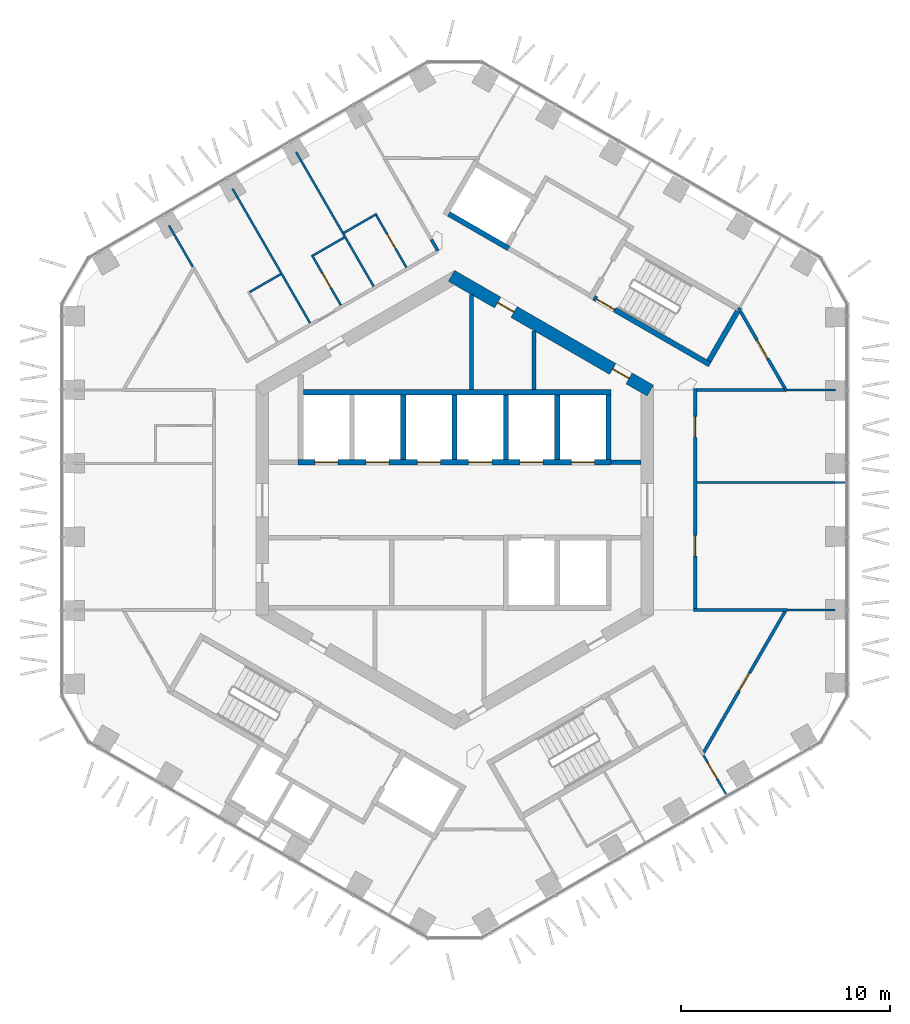
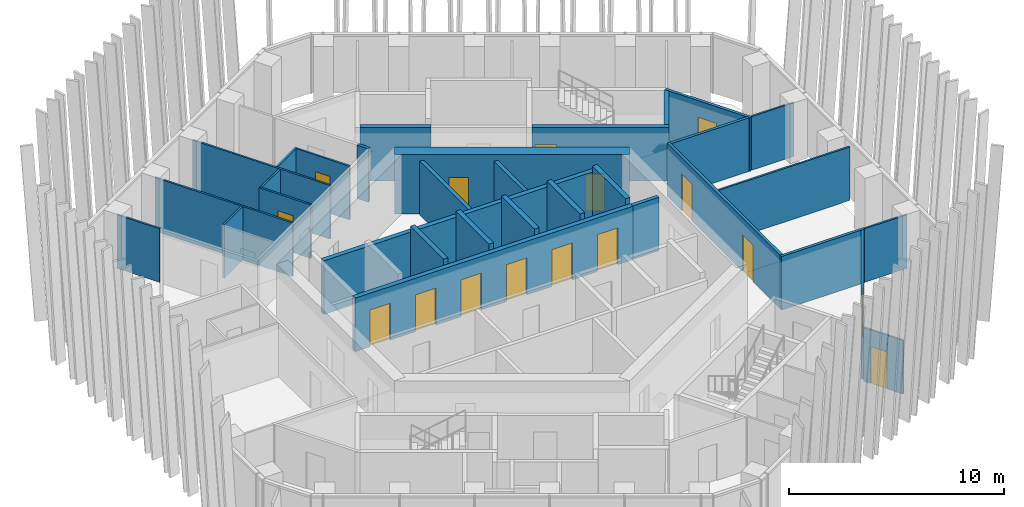
# One storey, part 15 of 21: 32 walls, 16 doors, 16 openings.
"""IFC4 building model written with IfcOpenShell, lengths in metres."""

from ifc_helpers import new_model, si_unit, direction, frame, frame_2d, origin, place, context, subcontext, project, spatial, rectangle, extrude, material, layer, layer_set, type_object, element, fill, save


model = new_model("IFC4")

# Units and contexts
model_context = context("Model", 3, precision=1e-05, world=origin(), true_north=direction((0.0, 1.0)))
body_context = subcontext(model_context, "Body", "Model", "MODEL_VIEW")
ifc_project = project(units=[si_unit("LENGTHUNIT", "METRE"), si_unit("AREAUNIT", "SQUARE_METRE"), si_unit("VOLUMEUNIT", "CUBIC_METRE"), si_unit("PLANEANGLEUNIT", "RADIAN"), si_unit("MASSUNIT", "GRAM", prefix="KILO")], contexts=[model_context])

# Site, building, storey
site_placement = place(None, origin())
site = spatial("IfcSite", under=ifc_project, at=site_placement, CompositionType="ELEMENT")
building_placement = place(site_placement, origin())
building = spatial("IfcBuilding", under=site, at=building_placement, Name="Ayvan Gate Tower", CompositionType="ELEMENT")
storey_placement = place(building_placement, frame((0.0, 0.0, 152.699951171875)))
storey = spatial("IfcBuildingStorey", under=building, at=storey_placement, Name="L40", CompositionType="ELEMENT", Elevation=152.699951171875)

# Wall, openings, doors
ifc_material_1 = material(Name="Concrete C60/75", Category="concrete")
ifc_layer_1 = layer(ifc_material_1, 0.60009765625)
ifc_layer_set_1 = layer_set([ifc_layer_1], Name="Concrete C60/75")
wall_type_1 = type_object("IfcWallType", Name="Core wall 600 C60/75", PredefinedType="SHEAR", material=ifc_layer_set_1)
wall_1_placement = place(storey_placement, frame((9.35009765625, 5.22509765625, 0.0), z_axis=(0.0, 0.0, 1.0), x_axis=(-0.866023993627, 0.500002442456, 0.0)))
wall_1 = element("IfcWall", 1, at=wall_1_placement, inside=storey, type_object=wall_type_1, Name="CORE-L40-1", PredefinedType="SHEAR", context=body_context, shape_type="SweptSolid", body=[
    extrude(rectangle(XDim=10.9697265625, YDim=0.60009765625, at=frame_2d((5.48486328125, 0.0))), origin(), (0.0, 0.0, 1.0), 3.400146484375),
])
opening_1_placement = place(wall_1_placement, frame((7.51806640625, 0.0, 0.0)))
opening_1 = element("IfcOpeningElement", 2, at=opening_1_placement, cuts=wall_1, Name="Opening L40-D45", PredefinedType="OPENING", context=body_context, shape_type="SweptSolid", body=[
    extrude(rectangle(XDim=0.89990234375, YDim=2.10009765625, at=frame_2d((0.449951171875, 1.050048828125))), frame((0.0, 0.31005859375, 0.0), z_axis=(0.0, -1.0, 0.0), x_axis=(1.0, 0.0, 0.0)), (0.0, 0.0, 1.0), 0.6201171875),
])
opening_2_placement = place(wall_1_placement, frame((1.171875, 0.0, 0.0)))
opening_2 = element("IfcOpeningElement", 3, at=opening_2_placement, cuts=wall_1, Name="Opening L40-D46", PredefinedType="OPENING", context=body_context, shape_type="SweptSolid", body=[
    extrude(rectangle(XDim=0.89990234375, YDim=2.10009765625, at=frame_2d((0.449951171875, 1.050048828125))), frame((0.0, 0.31005859375, 0.0), z_axis=(0.0, -1.0, 0.0), x_axis=(1.0, 0.0, 0.0)), (0.0, 0.0, 1.0), 0.6201171875),
])
ifc_material_2 = material(Name="Timber door leaf", Category="wood")
door_type_1 = type_object("IfcDoorType", Name="DT-900", OperationType="NOTDEFINED", PredefinedType="DOOR", material=ifc_material_2)
door_1_placement = place(opening_1_placement, origin())
door_1 = element("IfcDoor", 4, at=door_1_placement, inside=storey, type_object=door_type_1, Name="CD-L40-45", OperationType="SINGLE_SWING_LEFT", OverallHeight=2.10009765625, OverallWidth=0.89990234375, PredefinedType="DOOR", context=body_context, shape_type="SweptSolid", body=[
    extrude(rectangle(XDim=0.89990234375, YDim=2.10009765625, at=frame_2d((0.449951171875, 1.050048828125))), frame((0.0, 0.02490234375, 0.0), z_axis=(0.0, -1.0, 0.0), x_axis=(1.0, 0.0, 0.0)), (0.0, 0.0, 1.0), 0.050048828125),
])
fill(opening_1, door_1)
door_2_placement = place(opening_2_placement, origin())
door_2 = element("IfcDoor", 5, at=door_2_placement, inside=storey, type_object=door_type_1, Name="CD-L40-46", OperationType="SINGLE_SWING_RIGHT", OverallHeight=2.10009765625, OverallWidth=0.89990234375, PredefinedType="DOOR", context=body_context, shape_type="SweptSolid", body=[
    extrude(rectangle(XDim=0.89990234375, YDim=2.10009765625, at=frame_2d((0.449951171875, 1.050048828125))), frame((0.0, 0.02490234375, 0.0), z_axis=(0.0, -1.0, 0.0), x_axis=(1.0, 0.0, 0.0)), (0.0, 0.0, 1.0), 0.050048828125),
])
fill(opening_2, door_2)

# Walls
ifc_material_3 = material(Name="Plasterboard on steel stud", Category="steel")
ifc_layer_2 = layer(ifc_material_3, 0.14990234375)
ifc_layer_set_2 = layer_set([ifc_layer_2], Name="Plasterboard on steel stud")
wall_type_2 = type_object("IfcWallType", Name="WT-CORR-150", PredefinedType="PARTITIONING", material=ifc_layer_set_2)
wall_2_placement = place(storey_placement, frame((-1.109619140625, 12.443359375, 0.0), z_axis=(0.0, 0.0, 1.0), x_axis=(0.500264283676, -0.865872765756, 0.0)))
element("IfcWall", 6, at=wall_2_placement, inside=storey, type_object=wall_type_2, Name="IW-L40-052", PredefinedType="PARTITIONING", context=body_context, shape_type="SweptSolid", body=[
    extrude(rectangle(XDim=0.611083984375, YDim=0.14990234375, at=frame_2d((0.3056640625, 0.0))), origin(), (0.0, 0.0, 1.0), 3.050048828125),
])
wall_3_placement = place(storey_placement, frame((11.4248046875, -5.2607421875, 0.0), z_axis=(0.0, 0.0, 1.0), x_axis=(1.0, 0.0, 0.0)))
element("IfcWall", 7, at=wall_3_placement, inside=storey, type_object=wall_type_2, Name="IW-L40-095", PredefinedType="PARTITIONING", context=body_context, shape_type="SweptSolid", body=[
    extrude(rectangle(XDim=4.47607421875, YDim=0.14990234375, at=frame_2d((2.238037109375, 0.0))), origin(), (0.0, 0.0, 1.0), 3.050048828125),
])

# Wall, openings, doors
wall_4_placement = place(storey_placement, frame((11.5, -5.185791015625, 0.0), z_axis=(0.0, 0.0, 1.0), x_axis=(0.0, 1.0, 0.0)))
wall_4 = element("IfcWall", 8, at=wall_4_placement, inside=storey, type_object=wall_type_2, Name="IW-L40-097", PredefinedType="PARTITIONING", context=body_context, shape_type="SweptSolid", body=[
    extrude(rectangle(XDim=10.521484375, YDim=0.14990234375, at=frame_2d((5.2607421875, 0.0))), origin(), (0.0, 0.0, 1.0), 3.050048828125),
])
opening_3_placement = place(wall_4_placement, frame((2.498779296875, 0.0, 0.0)))
opening_3 = element("IfcOpeningElement", 9, at=opening_3_placement, cuts=wall_4, Name="Opening L40-D21", PredefinedType="OPENING", context=body_context, shape_type="SweptSolid", body=[
    extrude(rectangle(XDim=1.0, YDim=2.10009765625, at=frame_2d((0.5, 1.050048828125))), frame((0.0, 0.0849609375, 0.0), z_axis=(0.0, -1.0, 0.0), x_axis=(1.0, 0.0, 0.0)), (0.0, 0.0, 1.0), 0.169921875),
])
opening_4_placement = place(wall_4_placement, frame((8.177978515625, 0.0, 0.0)))
opening_4 = element("IfcOpeningElement", 10, at=opening_4_placement, cuts=wall_4, Name="Opening L40-D22", PredefinedType="OPENING", context=body_context, shape_type="SweptSolid", body=[
    extrude(rectangle(XDim=1.0, YDim=2.10009765625, at=frame_2d((0.5, 1.050048828125))), frame((0.0, 0.0849609375, 0.0), z_axis=(0.0, -1.0, 0.0), x_axis=(1.0, 0.0, 0.0)), (0.0, 0.0, 1.0), 0.169921875),
])
door_type_2 = type_object("IfcDoorType", Name="DT-1000", OperationType="NOTDEFINED", PredefinedType="DOOR", material=ifc_material_2)
door_3_placement = place(opening_3_placement, origin())
door_3 = element("IfcDoor", 11, at=door_3_placement, inside=storey, type_object=door_type_2, Name="ID-L40-021", OperationType="SINGLE_SWING_LEFT", OverallHeight=2.10009765625, OverallWidth=1.0, PredefinedType="DOOR", context=body_context, shape_type="SweptSolid", body=[
    extrude(rectangle(XDim=1.0, YDim=2.10009765625, at=frame_2d((0.5, 1.050048828125))), frame((0.0, 0.02490234375, 0.0), z_axis=(0.0, -1.0, 0.0), x_axis=(1.0, 0.0, 0.0)), (0.0, 0.0, 1.0), 0.050048828125),
])
fill(opening_3, door_3)
door_4_placement = place(opening_4_placement, origin())
door_4 = element("IfcDoor", 12, at=door_4_placement, inside=storey, type_object=door_type_2, Name="ID-L40-022", OperationType="SINGLE_SWING_RIGHT", OverallHeight=2.10009765625, OverallWidth=1.0, PredefinedType="DOOR", context=body_context, shape_type="SweptSolid", body=[
    extrude(rectangle(XDim=1.0, YDim=2.10009765625, at=frame_2d((0.5, 1.050048828125))), frame((0.0, 0.02490234375, 0.0), z_axis=(0.0, -1.0, 0.0), x_axis=(1.0, 0.0, 0.0)), (0.0, 0.0, 1.0), 0.050048828125),
])
fill(opening_4, door_4)

# Wall, opening, door
wall_5_placement = place(storey_placement, frame((13.5634765625, 9.17919921875, 0.0), z_axis=(0.0, 0.0, 1.0), x_axis=(0.499998129301, -0.86602648383, 0.0)))
wall_5 = element("IfcWall", 13, at=wall_5_placement, inside=storey, type_object=wall_type_2, Name="IW-L40-103", PredefinedType="PARTITIONING", context=body_context, shape_type="SweptSolid", body=[
    extrude(rectangle(XDim=4.599609375, YDim=0.14990234375, at=frame_2d((2.2998046875, 0.0))), origin(), (0.0, 0.0, 1.0), 3.050048828125),
])
opening_5_placement = place(wall_5_placement, frame((1.787353515625, 0.0, 0.0)))
opening_5 = element("IfcOpeningElement", 14, at=opening_5_placement, cuts=wall_5, Name="Opening L40-D23", PredefinedType="OPENING", context=body_context, shape_type="SweptSolid", body=[
    extrude(rectangle(XDim=1.0, YDim=2.10009765625, at=frame_2d((0.5, 1.050048828125))), frame((0.0, 0.0849609375, 0.0), z_axis=(0.0, -1.0, 0.0), x_axis=(1.0, 0.0, 0.0)), (0.0, 0.0, 1.0), 0.169921875),
])
door_5_placement = place(opening_5_placement, origin())
door_5 = element("IfcDoor", 15, at=door_5_placement, inside=storey, type_object=door_type_2, Name="ID-L40-023", OperationType="SINGLE_SWING_LEFT", OverallHeight=2.10009765625, OverallWidth=1.0, PredefinedType="DOOR", context=body_context, shape_type="SweptSolid", body=[
    extrude(rectangle(XDim=1.0, YDim=2.10009765625, at=frame_2d((0.5, 1.050048828125))), frame((0.0, 0.02490234375, 0.0), z_axis=(0.0, -1.0, 0.0), x_axis=(1.0, 0.0, 0.0)), (0.0, 0.0, 1.0), 0.050048828125),
])
fill(opening_5, door_5)

# Wall
wall_6_placement = place(storey_placement, frame((15.750732421875, 5.2607421875, 0.0), z_axis=(0.0, 0.0, 1.0), x_axis=(-1.0, 0.0, 0.0)))
element("IfcWall", 16, at=wall_6_placement, inside=storey, type_object=wall_type_2, Name="IW-L40-105", PredefinedType="PARTITIONING", context=body_context, shape_type="SweptSolid", body=[
    extrude(rectangle(XDim=4.17578125, YDim=0.14990234375, at=frame_2d((2.087890625, 0.0))), origin(), (0.0, 0.0, 1.0), 3.050048828125),
])

# Wall, opening, door
wall_7_placement = place(storey_placement, frame((15.788330078125, -5.32568359375, 0.0), z_axis=(0.0, 0.0, 1.0), x_axis=(-0.500022727545, -0.866012281633, 0.0)))
wall_7 = element("IfcWall", 17, at=wall_7_placement, inside=storey, type_object=wall_type_2, Name="IW-L40-106", PredefinedType="PARTITIONING", context=body_context, shape_type="SweptSolid", body=[
    extrude(rectangle(XDim=7.788818359375, YDim=0.14990234375, at=frame_2d((3.89453125, 0.0))), origin(), (0.0, 0.0, 1.0), 3.050048828125),
])
opening_6_placement = place(wall_7_placement, frame((3.394287109375, 0.0, 0.0)))
opening_6 = element("IfcOpeningElement", 18, at=opening_6_placement, cuts=wall_7, Name="Opening L40-D36", PredefinedType="OPENING", context=body_context, shape_type="SweptSolid", body=[
    extrude(rectangle(XDim=1.0, YDim=2.10009765625, at=frame_2d((0.5, 1.050048828125))), frame((0.0, 0.0849609375, 0.0), z_axis=(0.0, -1.0, 0.0), x_axis=(1.0, 0.0, 0.0)), (0.0, 0.0, 1.0), 0.169921875),
])
door_6_placement = place(opening_6_placement, origin())
door_6 = element("IfcDoor", 19, at=door_6_placement, inside=storey, type_object=door_type_2, Name="ID-L40-036", OperationType="SINGLE_SWING_RIGHT", OverallHeight=2.10009765625, OverallWidth=1.0, PredefinedType="DOOR", context=body_context, shape_type="SweptSolid", body=[
    extrude(rectangle(XDim=1.0, YDim=2.10009765625, at=frame_2d((0.5, 1.050048828125))), frame((0.0, 0.02490234375, 0.0), z_axis=(0.0, -1.0, 0.0), x_axis=(1.0, 0.0, 0.0)), (0.0, 0.0, 1.0), 0.050048828125),
])
fill(opening_6, door_6)

# Walls
ifc_layer_3 = layer(ifc_material_3, 0.10009765625)
ifc_layer_set_3 = layer_set([ifc_layer_3], Name="Plasterboard on steel stud")
wall_type_3 = type_object("IfcWallType", Name="WT-PART-100", PredefinedType="PARTITIONING", material=ifc_layer_set_3)
wall_8_placement = place(storey_placement, frame((-13.649169921875, 13.11962890625, 0.0), z_axis=(0.0, 0.0, 1.0), x_axis=(0.499987504325, -0.866032618045, 0.0)))
element("IfcWall", 20, at=wall_8_placement, inside=storey, type_object=wall_type_3, Name="IW-L40-006", PredefinedType="PARTITIONING", context=body_context, shape_type="SweptSolid", body=[
    extrude(rectangle(XDim=2.28564453125, YDim=0.10009765625, at=frame_2d((1.142822265625, 0.0))), origin(), (0.0, 0.0, 1.0), 3.050048828125),
])
wall_9_placement = place(storey_placement, frame((-8.31201171875, 10.78955078125, 0.0), z_axis=(0.0, 0.0, 1.0), x_axis=(-0.866016478054, -0.500015459501, 0.0)))
element("IfcWall", 21, at=wall_9_placement, inside=storey, type_object=wall_type_3, Name="IW-L40-023", PredefinedType="PARTITIONING", context=body_context, shape_type="SweptSolid", body=[
    extrude(rectangle(XDim=1.70703125, YDim=0.10009765625, at=frame_2d((0.853515625, 0.0))), origin(), (0.0, 0.0, 1.0), 3.050048828125),
])
wall_10_placement = place(storey_placement, frame((-10.61181640625, 14.873291015625, 0.0), z_axis=(0.0, 0.0, 1.0), x_axis=(0.499972430261, -0.866041320595, 0.0)))
element("IfcWall", 22, at=wall_10_placement, inside=storey, type_object=wall_type_3, Name="IW-L40-024", PredefinedType="PARTITIONING", context=body_context, shape_type="SweptSolid", body=[
    extrude(rectangle(XDim=7.41162109375, YDim=0.10009765625, at=frame_2d((3.705810546875, 0.0))), origin(), (0.0, 0.0, 1.0), 3.050048828125),
])

# Wall, opening, door
wall_11_placement = place(storey_placement, frame((-6.8212890625, 11.707763671875, 0.0), z_axis=(0.0, 0.0, 1.0), x_axis=(0.50000932403, -0.866020020486, 0.0)))
wall_11 = element("IfcWall", 23, at=wall_11_placement, inside=storey, type_object=wall_type_3, Name="IW-L40-031", PredefinedType="PARTITIONING", context=body_context, shape_type="SweptSolid", body=[
    extrude(rectangle(XDim=2.77490234375, YDim=0.10009765625, at=frame_2d((1.387451171875, 0.0))), origin(), (0.0, 0.0, 1.0), 3.050048828125),
])
opening_7_placement = place(wall_11_placement, frame((1.012451171875, 0.0, 0.0)))
opening_7 = element("IfcOpeningElement", 24, at=opening_7_placement, cuts=wall_11, Name="Opening L40-D41", PredefinedType="OPENING", context=body_context, shape_type="SweptSolid", body=[
    extrude(rectangle(XDim=0.800048828125, YDim=2.10009765625, at=frame_2d((0.39990234375, 1.050048828125))), frame((0.0, 0.06005859375, 0.0), z_axis=(0.0, -1.0, 0.0), x_axis=(1.0, 0.0, 0.0)), (0.0, 0.0, 1.0), 0.1201171875),
])
door_type_3 = type_object("IfcDoorType", Name="DT-800", OperationType="NOTDEFINED", PredefinedType="DOOR", material=ifc_material_2)
door_7_placement = place(opening_7_placement, origin())
door_7 = element("IfcDoor", 25, at=door_7_placement, inside=storey, type_object=door_type_3, Name="ID-L40-041", OperationType="SINGLE_SWING_LEFT", OverallHeight=2.10009765625, OverallWidth=0.800048828125, PredefinedType="DOOR", context=body_context, shape_type="SweptSolid", body=[
    extrude(rectangle(XDim=0.800048828125, YDim=2.10009765625, at=frame_2d((0.39990234375, 1.050048828125))), frame((0.0, 0.02490234375, 0.0), z_axis=(0.0, -1.0, 0.0), x_axis=(1.0, 0.0, 0.0)), (0.0, 0.0, 1.0), 0.050048828125),
])
fill(opening_7, door_7)

# Walls
wall_12_placement = place(storey_placement, frame((-5.274658203125, 12.543212890625, 0.0), z_axis=(0.0, 0.0, 1.0), x_axis=(-0.86599030752, -0.500060783586, 0.0)))
element("IfcWall", 26, at=wall_12_placement, inside=storey, type_object=wall_type_3, Name="IW-L40-035", PredefinedType="PARTITIONING", context=body_context, shape_type="SweptSolid", body=[
    extrude(rectangle(XDim=1.707275390625, YDim=0.10009765625, at=frame_2d((0.853515625, 0.0))), origin(), (0.0, 0.0, 1.0), 3.050048828125),
])
wall_13_placement = place(storey_placement, frame((-7.57470703125, 16.626708984375, 0.0), z_axis=(0.0, 0.0, 1.0), x_axis=(0.500011399757, -0.866018822032, 0.0)))
element("IfcWall", 27, at=wall_13_placement, inside=storey, type_object=wall_type_3, Name="IW-L40-036", PredefinedType="PARTITIONING", context=body_context, shape_type="SweptSolid", body=[
    extrude(rectangle(XDim=7.411376953125, YDim=0.10009765625, at=frame_2d((3.70556640625, 0.0))), origin(), (0.0, 0.0, 1.0), 3.050048828125),
])
wall_14_placement = place(storey_placement, frame((-3.722900390625, 13.669921875, 0.0), z_axis=(0.0, 0.0, 1.0), x_axis=(-0.866048366499, -0.499960225302, 0.0)))
element("IfcWall", 28, at=wall_14_placement, inside=storey, type_object=wall_type_3, Name="IW-L40-041", PredefinedType="PARTITIONING", context=body_context, shape_type="SweptSolid", body=[
    extrude(rectangle(XDim=1.807373046875, YDim=0.10009765625, at=frame_2d((0.90380859375, 0.0))), origin(), (0.0, 0.0, 1.0), 3.050048828125),
])

# Wall, opening, door
wall_15_placement = place(storey_placement, frame((-2.3037109375, 11.11181640625, 0.0), z_axis=(0.0, 0.0, 1.0), x_axis=(-0.500011588718, 0.866018712932, 0.0)))
wall_15 = element("IfcWall", 29, at=wall_15_placement, inside=storey, type_object=wall_type_3, Name="IW-L40-050", PredefinedType="PARTITIONING", context=body_context, shape_type="SweptSolid", body=[
    extrude(rectangle(XDim=2.875, YDim=0.10009765625, at=frame_2d((1.4375, 0.0))), origin(), (0.0, 0.0, 1.0), 3.050048828125),
])
opening_8_placement = place(wall_15_placement, frame((1.03759765625, 0.0, 0.0)))
opening_8 = element("IfcOpeningElement", 30, at=opening_8_placement, cuts=wall_15, Name="Opening L40-D39", PredefinedType="OPENING", context=body_context, shape_type="SweptSolid", body=[
    extrude(rectangle(XDim=0.800048828125, YDim=2.10009765625, at=frame_2d((0.39990234375, 1.050048828125))), frame((0.0, 0.06005859375, 0.0), z_axis=(0.0, -1.0, 0.0), x_axis=(1.0, 0.0, 0.0)), (0.0, 0.0, 1.0), 0.1201171875),
])
door_8_placement = place(opening_8_placement, origin())
door_8 = element("IfcDoor", 31, at=door_8_placement, inside=storey, type_object=door_type_3, Name="ID-L40-039", OperationType="SINGLE_SWING_LEFT", OverallHeight=2.10009765625, OverallWidth=0.800048828125, PredefinedType="DOOR", context=body_context, shape_type="SweptSolid", body=[
    extrude(rectangle(XDim=0.800048828125, YDim=2.10009765625, at=frame_2d((0.39990234375, 1.050048828125))), frame((0.0, 0.02490234375, 0.0), z_axis=(0.0, -1.0, 0.0), x_axis=(1.0, 0.0, 0.0)), (0.0, 0.0, 1.0), 0.050048828125),
])
fill(opening_8, door_8)

# Wall
wall_16_placement = place(storey_placement, frame((11.574951171875, 0.841796875, 0.0), z_axis=(0.0, 0.0, 1.0), x_axis=(1.0, 0.0, 0.0)))
element("IfcWall", 32, at=wall_16_placement, inside=storey, type_object=wall_type_3, Name="IW-L40-096", PredefinedType="PARTITIONING", context=body_context, shape_type="SweptSolid", body=[
    extrude(rectangle(XDim=7.08251953125, YDim=0.10009765625, at=frame_2d((3.541259765625, 0.0))), origin(), (0.0, 0.0, 1.0), 3.050048828125),
])

# Wall, opening, door
wall_17_placement = place(storey_placement, frame((12.966064453125, -14.057861328125, 0.0), z_axis=(0.0, 0.0, 1.0), x_axis=(-0.500057540742, 0.865992180073, 0.0)))
wall_17 = element("IfcWall", 33, at=wall_17_placement, inside=storey, type_object=wall_type_3, Name="IW-L40-100", PredefinedType="PARTITIONING", context=body_context, shape_type="SweptSolid", body=[
    extrude(rectangle(XDim=2.144287109375, YDim=0.10009765625, at=frame_2d((1.072265625, 0.0))), origin(), (0.0, 0.0, 1.0), 3.050048828125),
])
opening_9_placement = place(wall_17_placement, frame((0.857666015625, 0.0, 0.0)))
opening_9 = element("IfcOpeningElement", 34, at=opening_9_placement, cuts=wall_17, Name="Opening L40-D37", PredefinedType="OPENING", context=body_context, shape_type="SweptSolid", body=[
    extrude(rectangle(XDim=0.89990234375, YDim=2.10009765625, at=frame_2d((0.449951171875, 1.050048828125))), frame((0.0, 0.06005859375, 0.0), z_axis=(0.0, -1.0, 0.0), x_axis=(1.0, 0.0, 0.0)), (0.0, 0.0, 1.0), 0.1201171875),
])
door_9_placement = place(opening_9_placement, origin())
door_9 = element("IfcDoor", 35, at=door_9_placement, inside=storey, type_object=door_type_1, Name="ID-L40-037", OperationType="SINGLE_SWING_LEFT", OverallHeight=2.10009765625, OverallWidth=0.89990234375, PredefinedType="DOOR", context=body_context, shape_type="SweptSolid", body=[
    extrude(rectangle(XDim=0.89990234375, YDim=2.10009765625, at=frame_2d((0.449951171875, 1.050048828125))), frame((0.0, 0.02490234375, 0.0), z_axis=(0.0, -1.0, 0.0), x_axis=(1.0, 0.0, 0.0)), (0.0, 0.0, 1.0), 0.050048828125),
])
fill(opening_9, door_9)

# Walls
wall_18_placement = place(storey_placement, frame((15.900634765625, 5.2607421875, 0.0), z_axis=(0.0, 0.0, 1.0), x_axis=(1.0, 0.0, 0.0)))
element("IfcWall", 36, at=wall_18_placement, inside=storey, type_object=wall_type_3, Name="IW-L40-104", PredefinedType="PARTITIONING", context=body_context, shape_type="SweptSolid", body=[
    extrude(rectangle(XDim=2.285888671875, YDim=0.10009765625, at=frame_2d((1.14306640625, 0.0))), origin(), (0.0, 0.0, 1.0), 3.050048828125),
])
wall_19_placement = place(storey_placement, frame((18.1865234375, -5.2607421875, 0.0), z_axis=(0.0, 0.0, 1.0), x_axis=(-1.0, 0.0, 0.0)))
element("IfcWall", 37, at=wall_19_placement, inside=storey, type_object=wall_type_3, Name="IW-L40-107", PredefinedType="PARTITIONING", context=body_context, shape_type="SweptSolid", body=[
    extrude(rectangle(XDim=2.28564453125, YDim=0.10009765625, at=frame_2d((1.142822265625, 0.0))), origin(), (0.0, 0.0, 1.0), 3.050048828125),
])
ifc_layer_4 = layer(ifc_material_3, 0.199951171875)
ifc_layer_set_4 = layer_set([ifc_layer_4], Name="Plasterboard on steel stud")
wall_type_4 = type_object("IfcWallType", Name="WT-RATED-200", PredefinedType="PARTITIONING", material=ifc_layer_set_4)
wall_20_placement = place(storey_placement, frame((0.800048828125, 9.81494140625, 0.0), z_axis=(0.0, 0.0, 1.0), x_axis=(0.0, -1.0, 0.0)))
element("IfcWall", 38, at=wall_20_placement, inside=storey, type_object=wall_type_4, Name="IW-L40-057", PredefinedType="PARTITIONING", context=body_context, shape_type="SweptSolid", body=[
    extrude(rectangle(XDim=4.5400390625, YDim=0.199951171875, at=frame_2d((2.27001953125, 0.0))), origin(), (0.0, 0.0, 1.0), 3.050048828125),
])
wall_21_placement = place(storey_placement, frame((3.800048828125, 8.0830078125, 0.0), z_axis=(0.0, 0.0, 1.0), x_axis=(0.0, -1.0, 0.0)))
element("IfcWall", 39, at=wall_21_placement, inside=storey, type_object=wall_type_4, Name="IW-L40-071", PredefinedType="PARTITIONING", context=body_context, shape_type="SweptSolid", body=[
    extrude(rectangle(XDim=2.80810546875, YDim=0.199951171875, at=frame_2d((1.404052734375, 0.0))), origin(), (0.0, 0.0, 1.0), 3.050048828125),
])
wall_22_placement = place(storey_placement, frame((7.474853515625, 1.800048828125, 0.0), z_axis=(0.0, 0.0, 1.0), x_axis=(1.0, 0.0, 0.0)))
element("IfcWall", 40, at=wall_22_placement, inside=storey, type_object=wall_type_4, Name="IW-L40-086", PredefinedType="PARTITIONING", context=body_context, shape_type="SweptSolid", body=[
    extrude(rectangle(XDim=1.425048828125, YDim=0.199951171875, at=frame_2d((0.71240234375, 0.0))), origin(), (0.0, 0.0, 1.0), 3.050048828125),
])

# Wall, openings, doors
ifc_material_4 = material(Name="Concrete C50/60", Category="concrete")
ifc_layer_5 = layer(ifc_material_4, 0.25)
ifc_layer_set_5 = layer_set([ifc_layer_5], Name="Concrete C50/60")
wall_type_5 = type_object("IfcWallType", Name="WT-RC-250", PredefinedType="SHEAR", material=ifc_layer_set_5)
wall_23_placement = place(storey_placement, frame((-7.47509765625, 1.800048828125, 0.0), z_axis=(0.0, 0.0, 1.0), x_axis=(1.0, 0.0, 0.0)))
wall_23 = element("IfcWall", 41, at=wall_23_placement, inside=storey, type_object=wall_type_5, Name="IW-L40-027", PredefinedType="SHEAR", context=body_context, shape_type="SweptSolid", body=[
    extrude(rectangle(XDim=14.9501953125, YDim=0.25, at=frame_2d((7.47509765625, 0.0))), origin(), (0.0, 0.0, 1.0), 3.050048828125),
])
opening_10_placement = place(wall_23_placement, frame((0.800048828125, 0.0, 0.0)))
opening_10 = element("IfcOpeningElement", 42, at=opening_10_placement, cuts=wall_23, Name="Opening L40-LD-HR1", PredefinedType="OPENING", context=body_context, shape_type="SweptSolid", body=[
    extrude(rectangle(XDim=1.10009765625, YDim=2.10009765625, at=frame_2d((0.550048828125, 1.050048828125))), frame((0.0, 0.135009765625, 0.0), z_axis=(0.0, -1.0, 0.0), x_axis=(1.0, 0.0, 0.0)), (0.0, 0.0, 1.0), 0.27001953125),
])
opening_11_placement = place(wall_23_placement, frame((3.25, 0.0, 0.0)))
opening_11 = element("IfcOpeningElement", 43, at=opening_11_placement, cuts=wall_23, Name="Opening L40-LD-HR2", PredefinedType="OPENING", context=body_context, shape_type="SweptSolid", body=[
    extrude(rectangle(XDim=1.10009765625, YDim=2.10009765625, at=frame_2d((0.550048828125, 1.050048828125))), frame((0.0, 0.135009765625, 0.0), z_axis=(0.0, -1.0, 0.0), x_axis=(1.0, 0.0, 0.0)), (0.0, 0.0, 1.0), 0.27001953125),
])
opening_12_placement = place(wall_23_placement, frame((5.7001953125, 0.0, 0.0)))
opening_12 = element("IfcOpeningElement", 44, at=opening_12_placement, cuts=wall_23, Name="Opening L40-LD-HR3", PredefinedType="OPENING", context=body_context, shape_type="SweptSolid", body=[
    extrude(rectangle(XDim=1.10009765625, YDim=2.10009765625, at=frame_2d((0.550048828125, 1.050048828125))), frame((0.0, 0.135009765625, 0.0), z_axis=(0.0, -1.0, 0.0), x_axis=(1.0, 0.0, 0.0)), (0.0, 0.0, 1.0), 0.27001953125),
])
opening_13_placement = place(wall_23_placement, frame((8.150146484375, 0.0, 0.0)))
opening_13 = element("IfcOpeningElement", 45, at=opening_13_placement, cuts=wall_23, Name="Opening L40-LD-HR4", PredefinedType="OPENING", context=body_context, shape_type="SweptSolid", body=[
    extrude(rectangle(XDim=1.10009765625, YDim=2.10009765625, at=frame_2d((0.550048828125, 1.050048828125))), frame((0.0, 0.135009765625, 0.0), z_axis=(0.0, -1.0, 0.0), x_axis=(1.0, 0.0, 0.0)), (0.0, 0.0, 1.0), 0.27001953125),
])
opening_14_placement = place(wall_23_placement, frame((10.60009765625, 0.0, 0.0)))
opening_14 = element("IfcOpeningElement", 46, at=opening_14_placement, cuts=wall_23, Name="Opening L40-LD-HR5", PredefinedType="OPENING", context=body_context, shape_type="SweptSolid", body=[
    extrude(rectangle(XDim=1.10009765625, YDim=2.10009765625, at=frame_2d((0.550048828125, 1.050048828125))), frame((0.0, 0.135009765625, 0.0), z_axis=(0.0, -1.0, 0.0), x_axis=(1.0, 0.0, 0.0)), (0.0, 0.0, 1.0), 0.27001953125),
])
opening_15_placement = place(wall_23_placement, frame((13.050048828125, 0.0, 0.0)))
opening_15 = element("IfcOpeningElement", 47, at=opening_15_placement, cuts=wall_23, Name="Opening L40-LD-HR6", PredefinedType="OPENING", context=body_context, shape_type="SweptSolid", body=[
    extrude(rectangle(XDim=1.10009765625, YDim=2.10009765625, at=frame_2d((0.550048828125, 1.050048828125))), frame((0.0, 0.135009765625, 0.0), z_axis=(0.0, -1.0, 0.0), x_axis=(1.0, 0.0, 0.0)), (0.0, 0.0, 1.0), 0.27001953125),
])
ifc_material_5 = material(Name="Stainless steel landing door", Category="steel")
door_type_4 = type_object("IfcDoorType", Name="DT-LANDING-1100", OperationType="SLIDING_TO_LEFT", PredefinedType="DOOR", material=ifc_material_5)
door_10_placement = place(opening_10_placement, origin())
door_10 = element("IfcDoor", 48, at=door_10_placement, inside=storey, type_object=door_type_4, Name="ID-L40-001", OperationType="SLIDING_TO_LEFT", OverallHeight=2.10009765625, OverallWidth=1.10009765625, PredefinedType="DOOR", context=body_context, shape_type="SweptSolid", body=[
    extrude(rectangle(XDim=1.10009765625, YDim=2.10009765625, at=frame_2d((0.550048828125, 1.050048828125))), frame((0.0, 0.02490234375, 0.0), z_axis=(0.0, -1.0, 0.0), x_axis=(1.0, 0.0, 0.0)), (0.0, 0.0, 1.0), 0.050048828125),
])
fill(opening_10, door_10)
door_11_placement = place(opening_11_placement, origin())
door_11 = element("IfcDoor", 49, at=door_11_placement, inside=storey, type_object=door_type_4, Name="ID-L40-002", OperationType="SLIDING_TO_LEFT", OverallHeight=2.10009765625, OverallWidth=1.10009765625, PredefinedType="DOOR", context=body_context, shape_type="SweptSolid", body=[
    extrude(rectangle(XDim=1.10009765625, YDim=2.10009765625, at=frame_2d((0.550048828125, 1.050048828125))), frame((0.0, 0.02490234375, 0.0), z_axis=(0.0, -1.0, 0.0), x_axis=(1.0, 0.0, 0.0)), (0.0, 0.0, 1.0), 0.050048828125),
])
fill(opening_11, door_11)
door_12_placement = place(opening_12_placement, origin())
door_12 = element("IfcDoor", 50, at=door_12_placement, inside=storey, type_object=door_type_4, Name="ID-L40-003", OperationType="SLIDING_TO_LEFT", OverallHeight=2.10009765625, OverallWidth=1.10009765625, PredefinedType="DOOR", context=body_context, shape_type="SweptSolid", body=[
    extrude(rectangle(XDim=1.10009765625, YDim=2.10009765625, at=frame_2d((0.550048828125, 1.050048828125))), frame((0.0, 0.02490234375, 0.0), z_axis=(0.0, -1.0, 0.0), x_axis=(1.0, 0.0, 0.0)), (0.0, 0.0, 1.0), 0.050048828125),
])
fill(opening_12, door_12)
door_13_placement = place(opening_13_placement, origin())
door_13 = element("IfcDoor", 51, at=door_13_placement, inside=storey, type_object=door_type_4, Name="ID-L40-004", OperationType="SLIDING_TO_LEFT", OverallHeight=2.10009765625, OverallWidth=1.10009765625, PredefinedType="DOOR", context=body_context, shape_type="SweptSolid", body=[
    extrude(rectangle(XDim=1.10009765625, YDim=2.10009765625, at=frame_2d((0.550048828125, 1.050048828125))), frame((0.0, 0.02490234375, 0.0), z_axis=(0.0, -1.0, 0.0), x_axis=(1.0, 0.0, 0.0)), (0.0, 0.0, 1.0), 0.050048828125),
])
fill(opening_13, door_13)
door_14_placement = place(opening_14_placement, origin())
door_14 = element("IfcDoor", 52, at=door_14_placement, inside=storey, type_object=door_type_4, Name="ID-L40-005", OperationType="SLIDING_TO_LEFT", OverallHeight=2.10009765625, OverallWidth=1.10009765625, PredefinedType="DOOR", context=body_context, shape_type="SweptSolid", body=[
    extrude(rectangle(XDim=1.10009765625, YDim=2.10009765625, at=frame_2d((0.550048828125, 1.050048828125))), frame((0.0, 0.02490234375, 0.0), z_axis=(0.0, -1.0, 0.0), x_axis=(1.0, 0.0, 0.0)), (0.0, 0.0, 1.0), 0.050048828125),
])
fill(opening_14, door_14)
door_15_placement = place(opening_15_placement, origin())
door_15 = element("IfcDoor", 53, at=door_15_placement, inside=storey, type_object=door_type_4, Name="ID-L40-006", OperationType="SLIDING_TO_LEFT", OverallHeight=2.10009765625, OverallWidth=1.10009765625, PredefinedType="DOOR", context=body_context, shape_type="SweptSolid", body=[
    extrude(rectangle(XDim=1.10009765625, YDim=2.10009765625, at=frame_2d((0.550048828125, 1.050048828125))), frame((0.0, 0.02490234375, 0.0), z_axis=(0.0, -1.0, 0.0), x_axis=(1.0, 0.0, 0.0)), (0.0, 0.0, 1.0), 0.050048828125),
])
fill(opening_15, door_15)

# Walls
wall_24_placement = place(storey_placement, frame((-7.22509765625, 5.14990234375, 0.0), z_axis=(0.0, 0.0, 1.0), x_axis=(1.0, 0.0, 0.0)))
element("IfcWall", 54, at=wall_24_placement, inside=storey, type_object=wall_type_5, Name="IW-L40-029", PredefinedType="SHEAR", context=body_context, shape_type="SweptSolid", body=[
    extrude(rectangle(XDim=14.7001953125, YDim=0.25, at=frame_2d((7.35009765625, 0.0))), origin(), (0.0, 0.0, 1.0), 3.050048828125),
])
for number, where, z_axis, x_axis, name in (
    (55, (-2.449951171875, 5.02490234375, 0.0), (0.0, 0.0, 1.0), (0.0, -1.0, 0.0), "IW-L40-049"),
    (56, (0.0, 5.02490234375, 0.0), (0.0, 0.0, 1.0), (0.0, -1.0, 0.0), "IW-L40-056"),
    (57, (2.449951171875, 5.02490234375, 0.0), (0.0, 0.0, 1.0), (0.0, -1.0, 0.0), "IW-L40-063"),
):
    element("IfcWall", number, at=place(storey_placement, frame(where, z_axis=z_axis, x_axis=x_axis)), inside=storey, type_object=wall_type_5, Name=name, PredefinedType="SHEAR", context=body_context, shape_type="SweptSolid", body=[
        extrude(rectangle(XDim=3.099853515625, YDim=0.25, at=frame_2d((1.5498046875, 0.0))), origin(), (0.0, 0.0, 1.0), 3.400146484375),
    ])
wall_25_placement = place(storey_placement, frame((2.580810546875, 12.02001953125, 0.0), z_axis=(0.0, 0.0, 1.0), x_axis=(-0.866040211805, 0.499974350878, 0.0)))
element("IfcWall", 58, at=wall_25_placement, inside=storey, type_object=wall_type_5, Name="IW-L40-064", PredefinedType="SHEAR", context=body_context, shape_type="SweptSolid", body=[
    extrude(rectangle(XDim=3.300048828125, YDim=0.25, at=frame_2d((1.64990234375, 0.0))), origin(), (0.0, 0.0, 1.0), 3.050048828125),
])
for number, where, z_axis, x_axis, name in (
    (59, (4.89990234375, 5.02490234375, 0.0), (0.0, 0.0, 1.0), (0.0, -1.0, 0.0), "IW-L40-076"),
    (60, (7.35009765625, 5.02490234375, 0.0), (0.0, 0.0, 1.0), (0.0, -1.0, 0.0), "IW-L40-088"),
):
    element("IfcWall", number, at=place(storey_placement, frame(where, z_axis=z_axis, x_axis=x_axis)), inside=storey, type_object=wall_type_5, Name=name, PredefinedType="SHEAR", context=body_context, shape_type="SweptSolid", body=[
        extrude(rectangle(XDim=3.099853515625, YDim=0.25, at=frame_2d((1.5498046875, 0.0))), origin(), (0.0, 0.0, 1.0), 3.400146484375),
    ])

# Wall, opening, door
wall_26_placement = place(storey_placement, frame((12.193603515625, 6.469970703125, 0.0), z_axis=(0.0, 0.0, 1.0), x_axis=(-0.866025499775, 0.499999833739, 0.0)))
wall_26 = element("IfcWall", 61, at=wall_26_placement, inside=storey, type_object=wall_type_5, Name="IW-L40-099", PredefinedType="SHEAR", context=body_context, shape_type="SweptSolid", body=[
    extrude(rectangle(XDim=6.39990234375, YDim=0.25, at=frame_2d((3.199951171875, 0.0))), origin(), (0.0, 0.0, 1.0), 3.050048828125),
])
opening_16_placement = place(wall_26_placement, frame((5.25, 0.0, 0.0)))
opening_16 = element("IfcOpeningElement", 62, at=opening_16_placement, cuts=wall_26, Name="Opening L40-D10", PredefinedType="OPENING", context=body_context, shape_type="SweptSolid", body=[
    extrude(rectangle(XDim=1.0, YDim=2.10009765625, at=frame_2d((0.5, 1.050048828125))), frame((0.0, 0.135009765625, 0.0), z_axis=(0.0, -1.0, 0.0), x_axis=(1.0, 0.0, 0.0)), (0.0, 0.0, 1.0), 0.27001953125),
])
door_16_placement = place(opening_16_placement, origin())
door_16 = element("IfcDoor", 63, at=door_16_placement, inside=storey, type_object=door_type_2, Name="ID-L40-010", OperationType="SINGLE_SWING_RIGHT", OverallHeight=2.10009765625, OverallWidth=1.0, PredefinedType="DOOR", context=body_context, shape_type="SweptSolid", body=[
    extrude(rectangle(XDim=1.0, YDim=2.10009765625, at=frame_2d((0.5, 1.050048828125))), frame((0.0, 0.02490234375, 0.0), z_axis=(0.0, -1.0, 0.0), x_axis=(1.0, 0.0, 0.0)), (0.0, 0.0, 1.0), 0.050048828125),
])
fill(opening_16, door_16)

# Wall
wall_27_placement = place(storey_placement, frame((13.52294921875, 9.022216796875, 0.0), z_axis=(0.0, 0.0, 1.0), x_axis=(-0.500034990121, -0.866005201286, 0.0)))
element("IfcWall", 64, at=wall_27_placement, inside=storey, type_object=wall_type_5, Name="IW-L40-101", PredefinedType="SHEAR", context=body_context, shape_type="SweptSolid", body=[
    extrude(rectangle(XDim=2.749755859375, YDim=0.25, at=frame_2d((1.375, 0.0))), origin(), (0.0, 0.0, 1.0), 3.050048828125),
])

save(model, "model.ifc")
